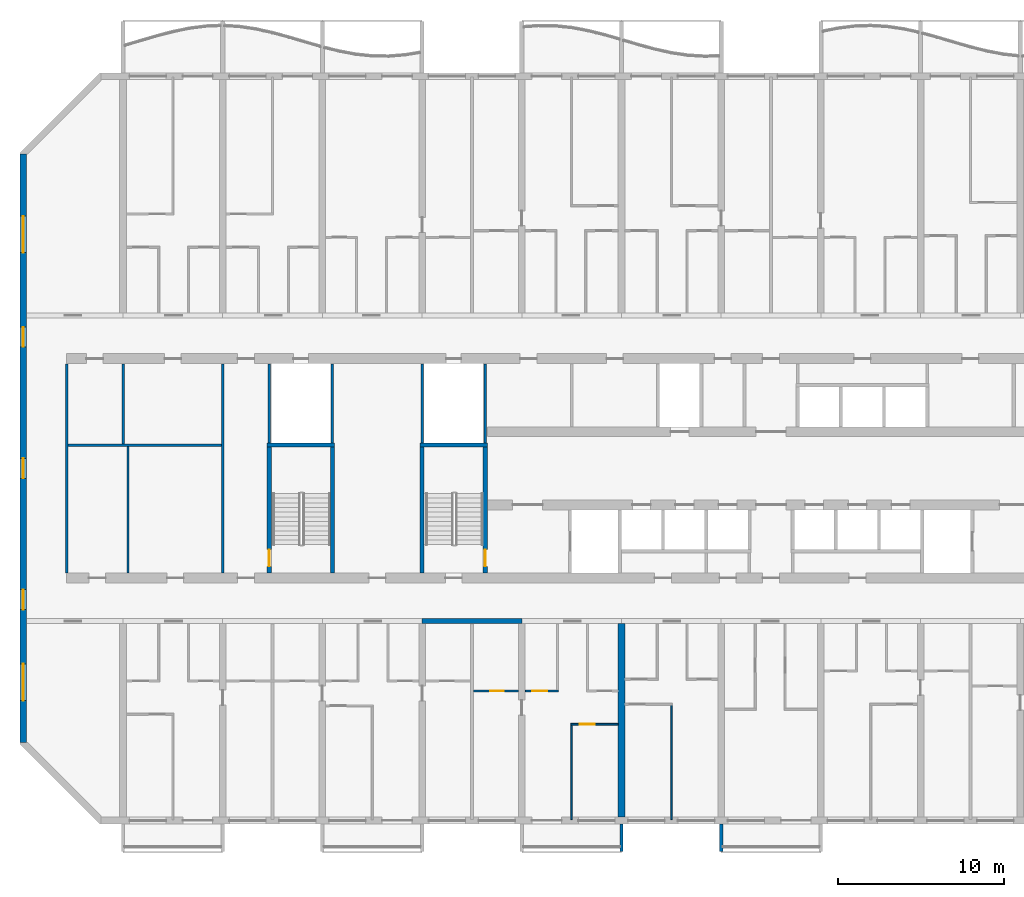
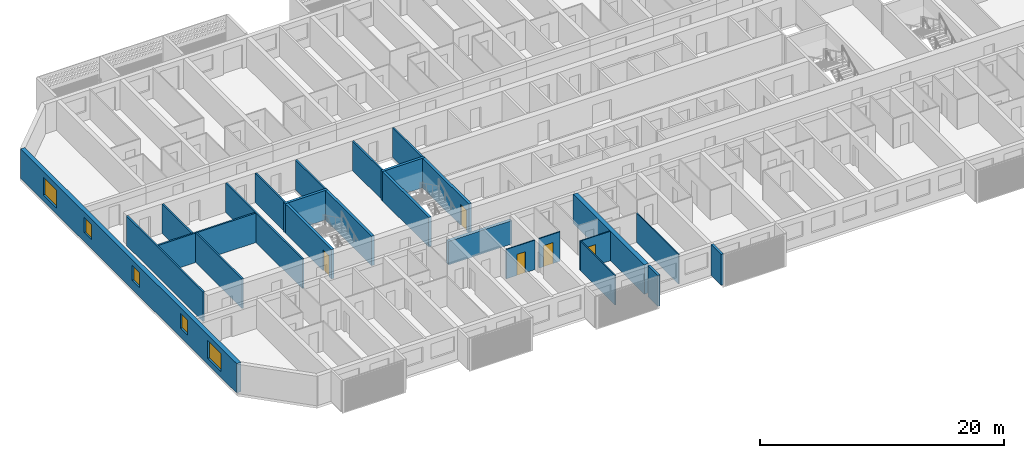
# One storey, part 3 of 39: 25 walls, 5 doors, 5 windows, 10 openings.
"""IFC4 building model written with IfcOpenShell, lengths in metres."""

from ifc_helpers import new_model, si_unit, direction, frame, frame_2d, origin, place, context, subcontext, project, spatial, polyline, rectangle, outline, extrude, source, transform, mapped, material, layer, layer_set, type_object, element, fill, save


model = new_model("IFC4")

# Units and contexts
model_context = context("Model", 3, precision=1e-05, world=origin(), true_north=direction((0.0, 1.0)))
body_context = subcontext(model_context, "Body", "Model", "MODEL_VIEW")
ifc_project = project(units=[si_unit("LENGTHUNIT", "METRE"), si_unit("AREAUNIT", "SQUARE_METRE"), si_unit("VOLUMEUNIT", "CUBIC_METRE"), si_unit("PLANEANGLEUNIT", "RADIAN"), si_unit("MASSUNIT", "GRAM", prefix="KILO")], contexts=[model_context])

# Site, building, storey
site_placement = place(None, origin())
site = spatial("IfcSite", under=ifc_project, at=site_placement, CompositionType="ELEMENT")
building_placement = place(site_placement, origin())
building = spatial("IfcBuilding", under=site, at=building_placement, Name="Poui Terraces", CompositionType="ELEMENT")
storey_placement = place(building_placement, frame((0.0, 0.0, 63.0)))
storey = spatial("IfcBuildingStorey", under=building, at=storey_placement, Name="L17", CompositionType="ELEMENT", Elevation=63.0)

# Walls
ifc_material_1 = material(Name="Fire-rated plasterboard wall")
ifc_layer_1 = layer(ifc_material_1, 0.14990234375)
ifc_layer_set_1 = layer_set([ifc_layer_1], Name="Fire-rated plasterboard wall")
wall_type_1 = type_object("IfcWallType", Name="CORRIDOR WALL 150", PredefinedType="PARTITIONING", material=ifc_layer_set_1)
for number, where, z_axis, x_axis, name in (
    (1, (8.60009765625, 14.909912109375, 0.0), (0.0, 0.0, 1.0), (0.0, 1.0, 0.0), "CORRIDOR WALL 150"),
    (2, (18.0, 14.909912109375, 0.0), (0.0, 0.0, 1.0), (0.0, 1.0, 0.0), "CORRIDOR WALL 150"),
):
    element("IfcWall", number, at=place(storey_placement, frame(where, z_axis=z_axis, x_axis=x_axis)), inside=storey, type_object=wall_type_1, Name=name, PredefinedType="PARTITIONING", context=body_context, shape_type="SweptSolid", body=[
        extrude(rectangle(XDim=12.580078125, YDim=0.14990234375, at=frame_2d((6.2900390625, 0.0))), origin(), (0.0, 0.0, 1.0), 2.949951171875),
    ])
ifc_material_2 = material(Name="Concrete 80 MPa", Category="concrete")
ifc_layer_2 = layer(ifc_material_2, 0.300048828125)
ifc_layer_set_2 = layer_set([ifc_layer_2], Name="Concrete 80 MPa")
wall_type_2 = type_object("IfcWallType", Name="CORRIDOR WALL 300 80MPa", PredefinedType="SHEAR", material=ifc_layer_set_2)
wall_1_placement = place(storey_placement, frame((30.0, 12.0, 0.0), z_axis=(0.0, 0.0, 1.0), x_axis=(1.0, 0.0, 0.0)))
element("IfcWall", 3, at=wall_1_placement, inside=storey, type_object=wall_type_2, Name="CORRIDOR WALL LINE B BAY 5", PredefinedType="SHEAR", context=body_context, shape_type="SweptSolid", body=[
    extrude(rectangle(XDim=6.0, YDim=0.300048828125, at=frame_2d((3.0, 0.0))), origin(), (0.0, 0.0, 1.0), 2.35009765625),
])
ifc_layer_3 = layer(ifc_material_2, 0.39990234375)
ifc_layer_set_3 = layer_set([ifc_layer_3], Name="Concrete 80 MPa")
wall_type_3 = type_object("IfcWallType", Name="CROSS WALL 400 80MPa", PredefinedType="SHEAR", material=ifc_layer_set_3)
wall_2_placement = place(storey_placement, frame((42.0, 0.199951171875, 0.0), z_axis=(0.0, 0.0, 1.0), x_axis=(0.0, 1.0, 0.0)))
element("IfcWall", 4, at=wall_2_placement, inside=storey, type_object=wall_type_3, Name="CROSS WALL LINE 8 SOUTH", PredefinedType="SHEAR", context=body_context, shape_type="SweptSolid", body=[
    extrude(rectangle(XDim=11.650146484375, YDim=0.39990234375, at=frame_2d((5.8251953125, 0.0))), origin(), (0.0, 0.0, 1.0), 2.949951171875),
])

# Wall, openings, windows
ifc_layer_4 = layer(ifc_material_2, 0.39990234375)
ifc_layer_set_4 = layer_set([ifc_layer_4], Name="Concrete 80 MPa")
wall_type_4 = type_object("IfcWallType", Name="END WALL 400 80MPa", PredefinedType="SHEAR", material=ifc_layer_set_4)
wall_3_placement = place(storey_placement, frame((6.0, 4.682861328125, 0.0), z_axis=(0.0, 0.0, 1.0), x_axis=(0.0, 1.0, 0.0)))
wall_3 = element("IfcWall", 5, at=wall_3_placement, inside=storey, type_object=wall_type_4, Name="END WALL WEST", PredefinedType="SHEAR", context=body_context, shape_type="SweptSolid", body=[
    extrude(rectangle(XDim=35.434326171875, YDim=0.39990234375, at=frame_2d((17.71728515625, 0.0))), origin(), (0.0, 0.0, 1.0), 2.949951171875),
])
opening_1_placement = place(wall_3_placement, frame((23.817138671875, 0.0, 0.89990234375)))
opening_1 = element("IfcOpeningElement", 6, at=opening_1_placement, cuts=wall_3, Name="Opening W2", PredefinedType="OPENING", context=body_context, shape_type="SweptSolid", body=[
    extrude(rectangle(XDim=1.199951171875, YDim=1.5, at=frame_2d((0.60009765625, 0.75))), frame((0.0, 0.2099609375, 0.0), z_axis=(0.0, -1.0, 0.0), x_axis=(1.0, 0.0, 0.0)), (0.0, 0.0, 1.0), 0.419921875),
])
opening_2_placement = place(wall_3_placement, frame((8.01708984375, 0.0, 0.89990234375)))
opening_2 = element("IfcOpeningElement", 7, at=opening_2_placement, cuts=wall_3, Name="Opening W2", PredefinedType="OPENING", context=body_context, shape_type="SweptSolid", body=[
    extrude(rectangle(XDim=1.199951171875, YDim=1.5, at=frame_2d((0.60009765625, 0.75))), frame((0.0, 0.2099609375, 0.0), z_axis=(0.0, -1.0, 0.0), x_axis=(1.0, 0.0, 0.0)), (0.0, 0.0, 1.0), 0.419921875),
])
opening_3_placement = place(wall_3_placement, frame((15.917236328125, 0.0, 0.89990234375)))
opening_3 = element("IfcOpeningElement", 8, at=opening_3_placement, cuts=wall_3, Name="Opening W2", PredefinedType="OPENING", context=body_context, shape_type="SweptSolid", body=[
    extrude(rectangle(XDim=1.199951171875, YDim=1.5, at=frame_2d((0.60009765625, 0.75))), frame((0.0, 0.2099609375, 0.0), z_axis=(0.0, -1.0, 0.0), x_axis=(1.0, 0.0, 0.0)), (0.0, 0.0, 1.0), 0.419921875),
])
opening_4_placement = place(wall_3_placement, frame((29.493408203125, 0.0, 0.60009765625)))
opening_4 = element("IfcOpeningElement", 9, at=opening_4_placement, cuts=wall_3, Name="Opening W3", PredefinedType="OPENING", context=body_context, shape_type="SweptSolid", body=[
    extrude(rectangle(XDim=2.199951171875, YDim=1.800048828125, at=frame_2d((1.10009765625, 0.89990234375))), frame((0.0, 0.2099609375, 0.0), z_axis=(0.0, -1.0, 0.0), x_axis=(1.0, 0.0, 0.0)), (0.0, 0.0, 1.0), 0.419921875),
])
opening_5_placement = place(wall_3_placement, frame((2.541015625, 0.0, 0.60009765625)))
opening_5 = element("IfcOpeningElement", 10, at=opening_5_placement, cuts=wall_3, Name="Opening W3", PredefinedType="OPENING", context=body_context, shape_type="SweptSolid", body=[
    extrude(rectangle(XDim=2.199951171875, YDim=1.800048828125, at=frame_2d((1.10009765625, 0.89990234375))), frame((0.0, 0.2099609375, 0.0), z_axis=(0.0, -1.0, 0.0), x_axis=(1.0, 0.0, 0.0)), (0.0, 0.0, 1.0), 0.419921875),
])
ifc_material_3 = material(Name="Clear glass in aluminium frame", Category="aluminium")
window_type_1 = type_object("IfcWindowType", Name="WINDOW 1200X1500", PartitioningType="SINGLE_PANEL", PredefinedType="WINDOW", material=ifc_material_3)
window_1_placement = place(opening_1_placement, origin())
window_1 = element("IfcWindow", 11, at=window_1_placement, inside=storey, type_object=window_type_1, Name="W2 WINDOW", OverallHeight=1.5, OverallWidth=1.199951171875, PartitioningType="SINGLE_PANEL", PredefinedType="WINDOW", context=body_context, shape_type="SweptSolid", body=[
    extrude(rectangle(XDim=1.199951171875, YDim=1.5, at=frame_2d((0.60009765625, 0.75))), frame((0.0, 0.030029296875, 0.0), z_axis=(0.0, -1.0, 0.0), x_axis=(1.0, 0.0, 0.0)), (0.0, 0.0, 1.0), 0.06005859375),
])
fill(opening_1, window_1)
window_2_placement = place(opening_2_placement, origin())
window_2 = element("IfcWindow", 12, at=window_2_placement, inside=storey, type_object=window_type_1, Name="W2 WINDOW", OverallHeight=1.5, OverallWidth=1.199951171875, PartitioningType="SINGLE_PANEL", PredefinedType="WINDOW", context=body_context, shape_type="SweptSolid", body=[
    extrude(rectangle(XDim=1.199951171875, YDim=1.5, at=frame_2d((0.60009765625, 0.75))), frame((0.0, 0.030029296875, 0.0), z_axis=(0.0, -1.0, 0.0), x_axis=(1.0, 0.0, 0.0)), (0.0, 0.0, 1.0), 0.06005859375),
])
fill(opening_2, window_2)
window_3_placement = place(opening_3_placement, origin())
window_3 = element("IfcWindow", 13, at=window_3_placement, inside=storey, type_object=window_type_1, Name="W2 WINDOW", OverallHeight=1.5, OverallWidth=1.199951171875, PartitioningType="SINGLE_PANEL", PredefinedType="WINDOW", context=body_context, shape_type="SweptSolid", body=[
    extrude(rectangle(XDim=1.199951171875, YDim=1.5, at=frame_2d((0.60009765625, 0.75))), frame((0.0, 0.030029296875, 0.0), z_axis=(0.0, -1.0, 0.0), x_axis=(1.0, 0.0, 0.0)), (0.0, 0.0, 1.0), 0.06005859375),
])
fill(opening_3, window_3)
window_type_2 = type_object("IfcWindowType", Name="WINDOW 2200X1800", PartitioningType="DOUBLE_PANEL_HORIZONTAL", PredefinedType="WINDOW", material=ifc_material_3)
window_4_placement = place(opening_4_placement, origin())
window_4 = element("IfcWindow", 14, at=window_4_placement, inside=storey, type_object=window_type_2, Name="W3 WINDOW", OverallHeight=1.800048828125, OverallWidth=2.199951171875, PartitioningType="DOUBLE_PANEL_HORIZONTAL", PredefinedType="WINDOW", context=body_context, shape_type="SweptSolid", body=[
    extrude(rectangle(XDim=2.199951171875, YDim=1.800048828125, at=frame_2d((1.10009765625, 0.89990234375))), frame((0.0, 0.030029296875, 0.0), z_axis=(0.0, -1.0, 0.0), x_axis=(1.0, 0.0, 0.0)), (0.0, 0.0, 1.0), 0.06005859375),
])
fill(opening_4, window_4)
window_5_placement = place(opening_5_placement, origin())
window_5 = element("IfcWindow", 15, at=window_5_placement, inside=storey, type_object=window_type_2, Name="W3 WINDOW", OverallHeight=1.800048828125, OverallWidth=2.199951171875, PartitioningType="DOUBLE_PANEL_HORIZONTAL", PredefinedType="WINDOW", context=body_context, shape_type="SweptSolid", body=[
    extrude(rectangle(XDim=2.199951171875, YDim=1.800048828125, at=frame_2d((1.10009765625, 0.89990234375))), frame((0.0, 0.030029296875, 0.0), z_axis=(0.0, -1.0, 0.0), x_axis=(1.0, 0.0, 0.0)), (0.0, 0.0, 1.0), 0.06005859375),
])
fill(opening_5, window_5)

# Wall, opening, door
ifc_material_4 = material(Name="Plasterboard partition")
ifc_layer_5 = layer(ifc_material_4, 0.10009765625)
ifc_layer_set_5 = layer_set([ifc_layer_5], Name="Plasterboard partition")
wall_type_5 = type_object("IfcWallType", Name="FLAT PARTITION 100", PredefinedType="PARTITIONING", material=ifc_layer_set_5)
wall_4_placement = place(storey_placement, frame((38.949951171875, 5.800048828125, 0.0), z_axis=(0.0, 0.0, 1.0), x_axis=(1.0, 0.0, 0.0)))
wall_4 = element("IfcWall", 16, at=wall_4_placement, inside=storey, type_object=wall_type_5, Name="FLAT PARTITION 100", PredefinedType="PARTITIONING", context=body_context, shape_type="SweptSolid", body=[
    extrude(rectangle(XDim=2.840087890625, YDim=0.10009765625, at=frame_2d((1.419921875, 0.0))), origin(), (0.0, 0.0, 1.0), 2.949951171875),
])
opening_6_placement = place(wall_4_placement, frame((0.550048828125, 0.0, 0.0)))
opening_6 = element("IfcOpeningElement", 17, at=opening_6_placement, cuts=wall_4, Name="Opening D90", PredefinedType="OPENING", context=body_context, shape_type="SweptSolid", body=[
    extrude(rectangle(XDim=0.89990234375, YDim=2.10009765625, at=frame_2d((0.449951171875, 1.050048828125))), frame((0.0, 0.06005859375, 0.0), z_axis=(0.0, -1.0, 0.0), x_axis=(1.0, 0.0, 0.0)), (0.0, 0.0, 1.0), 0.1201171875),
])
ifc_material_5 = material(Name="Solid core timber door", Category="wood")
door_type_1 = type_object("IfcDoorType", Name="INTERNAL DOOR 900 X 2100", OperationType="NOTDEFINED", PredefinedType="DOOR", material=ifc_material_5)
door_1_placement = place(opening_6_placement, origin())
door_1 = element("IfcDoor", 18, at=door_1_placement, inside=storey, type_object=door_type_1, Name="INTERNAL DOOR 103", OperationType="SINGLE_SWING_RIGHT", OverallHeight=2.10009765625, OverallWidth=0.89990234375, PredefinedType="DOOR", context=body_context, shape_type="SweptSolid", body=[
    extrude(rectangle(XDim=0.89990234375, YDim=2.10009765625, at=frame_2d((0.449951171875, 1.050048828125))), frame((0.0, 0.02490234375, 0.0), z_axis=(0.0, -1.0, 0.0), x_axis=(1.0, 0.0, 0.0)), (0.0, 0.0, 1.0), 0.050048828125),
])
fill(opening_6, door_1)

wall_5_placement = place(storey_placement, frame((33.10009765625, 7.800048828125, 0.0), z_axis=(0.0, 0.0, 1.0), x_axis=(1.0, 0.0, 0.0)))
wall_5 = element("IfcWall", 19, at=wall_5_placement, inside=storey, type_object=wall_type_5, Name="FLAT PARTITION 100", PredefinedType="PARTITIONING", context=body_context, shape_type="SweptSolid", body=[
    extrude(rectangle(XDim=2.68994140625, YDim=0.10009765625, at=frame_2d((1.344970703125, 0.0))), origin(), (0.0, 0.0, 1.0), 2.949951171875),
])
opening_7_placement = place(wall_5_placement, frame((1.0, 0.0, 0.0)))
opening_7 = element("IfcOpeningElement", 20, at=opening_7_placement, cuts=wall_5, Name="Opening D80", PredefinedType="OPENING", context=body_context, shape_type="SweptSolid", body=[
    extrude(rectangle(XDim=0.800048828125, YDim=2.10009765625, at=frame_2d((0.39990234375, 1.050048828125))), frame((0.0, 0.06005859375, 0.0), z_axis=(0.0, -1.0, 0.0), x_axis=(1.0, 0.0, 0.0)), (0.0, 0.0, 1.0), 0.1201171875),
])
door_type_2 = type_object("IfcDoorType", Name="BATHROOM, LAUNDRY AND STORE DOOR 800 X 2100", OperationType="NOTDEFINED", PredefinedType="DOOR", material=ifc_material_5)
door_2_placement = place(opening_7_placement, origin())
door_2 = element("IfcDoor", 21, at=door_2_placement, inside=storey, type_object=door_type_2, Name="BATHROOM, LAUNDRY AND STORE DOOR 099", OperationType="SINGLE_SWING_RIGHT", OverallHeight=2.10009765625, OverallWidth=0.800048828125, PredefinedType="DOOR", context=body_context, shape_type="SweptSolid", body=[
    extrude(rectangle(XDim=0.800048828125, YDim=2.10009765625, at=frame_2d((0.39990234375, 1.050048828125))), frame((0.0, 0.02490234375, 0.0), z_axis=(0.0, -1.0, 0.0), x_axis=(1.0, 0.0, 0.0)), (0.0, 0.0, 1.0), 0.050048828125),
])
fill(opening_7, door_2)

wall_6_placement = place(storey_placement, frame((36.2099609375, 7.800048828125, 0.0), z_axis=(0.0, 0.0, 1.0), x_axis=(1.0, 0.0, 0.0)))
wall_6 = element("IfcWall", 22, at=wall_6_placement, inside=storey, type_object=wall_type_5, Name="FLAT PARTITION 100", PredefinedType="PARTITIONING", context=body_context, shape_type="SweptSolid", body=[
    extrude(rectangle(XDim=1.989990234375, YDim=0.10009765625, at=frame_2d((0.9951171875, 0.0))), origin(), (0.0, 0.0, 1.0), 2.949951171875),
])
opening_8_placement = place(wall_6_placement, frame((0.4150390625, 0.0, 0.0)))
opening_8 = element("IfcOpeningElement", 23, at=opening_8_placement, cuts=wall_6, Name="Opening D90", PredefinedType="OPENING", context=body_context, shape_type="SweptSolid", body=[
    extrude(rectangle(XDim=0.89990234375, YDim=2.10009765625, at=frame_2d((0.449951171875, 1.050048828125))), frame((0.0, 0.06005859375, 0.0), z_axis=(0.0, -1.0, 0.0), x_axis=(1.0, 0.0, 0.0)), (0.0, 0.0, 1.0), 0.1201171875),
])
door_3_placement = place(opening_8_placement, origin())
door_3 = element("IfcDoor", 24, at=door_3_placement, inside=storey, type_object=door_type_1, Name="INTERNAL DOOR 101", OperationType="SINGLE_SWING_RIGHT", OverallHeight=2.10009765625, OverallWidth=0.89990234375, PredefinedType="DOOR", context=body_context, shape_type="SweptSolid", body=[
    extrude(rectangle(XDim=0.89990234375, YDim=2.10009765625, at=frame_2d((0.449951171875, 1.050048828125))), frame((0.0, 0.02490234375, 0.0), z_axis=(0.0, -1.0, 0.0), x_axis=(1.0, 0.0, 0.0)), (0.0, 0.0, 1.0), 0.050048828125),
])
fill(opening_8, door_3)

# Walls
wall_7_placement = place(storey_placement, frame((39.0, 0.06005859375, 0.0), z_axis=(0.0, 0.0, 1.0), x_axis=(0.0, 1.0, 0.0)))
element("IfcWall", 25, at=wall_7_placement, inside=storey, type_object=wall_type_5, Name="FLAT PARTITION 100", PredefinedType="PARTITIONING", context=body_context, shape_type="SweptSolid", body=[
    extrude(rectangle(XDim=5.68994140625, YDim=0.10009765625, at=frame_2d((2.844970703125, 0.0))), origin(), (0.0, 0.0, 1.0), 2.949951171875),
])
wall_8_placement = place(storey_placement, frame((45.0, 0.06005859375, 0.0), z_axis=(0.0, 0.0, 1.0), x_axis=(0.0, 1.0, 0.0)))
element("IfcWall", 26, at=wall_8_placement, inside=storey, type_object=wall_type_5, Name="FLAT PARTITION 100", PredefinedType="PARTITIONING", context=body_context, shape_type="SweptSolid", body=[
    extrude(rectangle(XDim=6.889892578125, YDim=0.10009765625, at=frame_2d((3.44482421875, 0.0))), origin(), (0.0, 0.0, 1.0), 2.949951171875),
])
ifc_layer_6 = layer(ifc_material_4, 0.14990234375)
ifc_layer_set_6 = layer_set([ifc_layer_6], Name="Plasterboard partition")
wall_type_6 = type_object("IfcWallType", Name="PARTITION WALL 150", PredefinedType="PARTITIONING", material=ifc_layer_set_6)
wall_9_placement = place(storey_placement, frame((8.675048828125, 22.60009765625, 0.0), z_axis=(0.0, 0.0, 1.0), x_axis=(1.0, 0.0, 0.0)))
element("IfcWall", 27, at=wall_9_placement, inside=storey, type_object=wall_type_6, Name="PARTITION WALL 150", PredefinedType="PARTITIONING", context=body_context, shape_type="SweptSolid", body=[
    extrude(rectangle(XDim=9.25, YDim=0.14990234375, at=frame_2d((4.625, 0.0))), origin(), (0.0, 0.0, 1.0), 2.949951171875),
])
wall_10_placement = place(storey_placement, frame((12.0, 22.675048828125, 0.0), z_axis=(0.0, 0.0, 1.0), x_axis=(0.0, 1.0, 0.0)))
element("IfcWall", 28, at=wall_10_placement, inside=storey, type_object=wall_type_6, Name="PARTITION WALL 150", PredefinedType="PARTITIONING", context=body_context, shape_type="SweptSolid", body=[
    extrude(rectangle(XDim=4.81494140625, YDim=0.14990234375, at=frame_2d((2.407470703125, 0.0))), origin(), (0.0, 0.0, 1.0), 2.949951171875),
])
wall_11_placement = place(storey_placement, frame((12.300048828125, 14.909912109375, 0.0), z_axis=(0.0, 0.0, 1.0), x_axis=(0.0, 1.0, 0.0)))
element("IfcWall", 29, at=wall_11_placement, inside=storey, type_object=wall_type_6, Name="PARTITION WALL 150", PredefinedType="PARTITIONING", context=body_context, shape_type="SweptSolid", body=[
    extrude(rectangle(XDim=7.614990234375, YDim=0.14990234375, at=frame_2d((3.8076171875, 0.0))), origin(), (0.0, 0.0, 1.0), 2.949951171875),
])
ifc_material_6 = material(Name="Fire-rated plasterboard riser wall")
ifc_layer_7 = layer(ifc_material_6, 0.14990234375)
ifc_layer_set_7 = layer_set([ifc_layer_7], Name="Fire-rated plasterboard riser wall")
wall_type_7 = type_object("IfcWallType", Name="RISER WALL 150", PredefinedType="PARTITIONING", material=ifc_layer_set_7)
for number, where, z_axis, x_axis, name in (
    (30, (20.800048828125, 22.735107421875, 0.0), (0.0, 0.0, 1.0), (0.0, 1.0, 0.0), "RISER WALL 150"),
    (31, (24.60009765625, 22.735107421875, 0.0), (0.0, 0.0, 1.0), (0.0, 1.0, 0.0), "RISER WALL 150"),
    (32, (30.0, 22.735107421875, 0.0), (0.0, 0.0, 1.0), (0.0, 1.0, 0.0), "RISER WALL 150"),
    (33, (33.800048828125, 22.735107421875, 0.0), (0.0, 0.0, 1.0), (0.0, 1.0, 0.0), "RISER WALL 150"),
):
    element("IfcWall", number, at=place(storey_placement, frame(where, z_axis=z_axis, x_axis=x_axis)), inside=storey, type_object=wall_type_7, Name=name, PredefinedType="PARTITIONING", context=body_context, shape_type="SweptSolid", body=[
        extrude(rectangle(XDim=4.7548828125, YDim=0.14990234375, at=frame_2d((2.37744140625, 0.0))), origin(), (0.0, 0.0, 1.0), 2.949951171875),
    ])
ifc_layer_8 = layer(ifc_material_2, 0.25)
ifc_layer_set_8 = layer_set([ifc_layer_8], Name="Concrete 80 MPa")
wall_type_8 = type_object("IfcWallType", Name="STAIR CORE WALL 250 80 MPA", PredefinedType="SOLIDWALL", material=ifc_layer_set_8)
wall_12_placement = place(storey_placement, frame((30.0, 14.89990234375, 0.0), z_axis=(0.0, 0.0, 1.0), x_axis=(0.0, 1.0, 0.0)))
element("IfcWall", 34, at=wall_12_placement, inside=storey, type_object=wall_type_8, Name="STAIR CORE WALL", PredefinedType="SOLIDWALL", context=body_context, shape_type="SweptSolid", body=[
    extrude(rectangle(XDim=7.5751953125, YDim=0.25, at=frame_2d((3.78759765625, 0.0))), origin(), (0.0, 0.0, 1.0), 2.949951171875),
])

# Wall, opening, door
wall_13_placement = place(storey_placement, frame((33.800048828125, 14.89990234375, 0.0), z_axis=(0.0, 0.0, 1.0), x_axis=(0.0, 1.0, 0.0)))
wall_13 = element("IfcWall", 35, at=wall_13_placement, inside=storey, type_object=wall_type_8, Name="STAIR CORE WALL", PredefinedType="SOLIDWALL", context=body_context, shape_type="SweptSolid", body=[
    extrude(rectangle(XDim=7.5751953125, YDim=0.25, at=frame_2d((3.78759765625, 0.0))), origin(), (0.0, 0.0, 1.0), 2.949951171875),
])
opening_9_placement = place(wall_13_placement, frame((0.39990234375, 0.0, 0.0)))
opening_9 = element("IfcOpeningElement", 36, at=opening_9_placement, cuts=wall_13, Name="Opening FD60S", PredefinedType="OPENING", context=body_context, shape_type="SweptSolid", body=[
    extrude(rectangle(XDim=1.0, YDim=2.10009765625, at=frame_2d((0.5, 1.050048828125))), frame((0.0, 0.135009765625, 0.0), z_axis=(0.0, -1.0, 0.0), x_axis=(1.0, 0.0, 0.0)), (0.0, 0.0, 1.0), 0.27001953125),
])
ifc_material_7 = material(Name="Steel fire door", Category="steel")
door_type_3 = type_object("IfcDoorType", Name="STAIR DOOR 1000 X 2100", OperationType="NOTDEFINED", PredefinedType="DOOR", material=ifc_material_7)
door_4_placement = place(opening_9_placement, origin())
door_4 = element("IfcDoor", 37, at=door_4_placement, inside=storey, type_object=door_type_3, Name="STAIR DOOR 137", OperationType="SINGLE_SWING_LEFT", OverallHeight=2.10009765625, OverallWidth=1.0, PredefinedType="DOOR", context=body_context, shape_type="SweptSolid", body=[
    extrude(rectangle(XDim=1.0, YDim=2.10009765625, at=frame_2d((0.5, 1.050048828125))), frame((0.0, 0.02490234375, 0.0), z_axis=(0.0, -1.0, 0.0), x_axis=(1.0, 0.0, 0.0)), (0.0, 0.0, 1.0), 0.050048828125),
])
fill(opening_9, door_4)

# Wall
wall_14_placement = place(storey_placement, frame((29.875, 22.60009765625, 0.0), z_axis=(0.0, 0.0, 1.0), x_axis=(1.0, 0.0, 0.0)))
element("IfcWall", 38, at=wall_14_placement, inside=storey, type_object=wall_type_8, Name="STAIR CORE WALL", PredefinedType="SOLIDWALL", context=body_context, shape_type="SweptSolid", body=[
    extrude(rectangle(XDim=4.050048828125, YDim=0.25, at=frame_2d((2.02490234375, 0.0))), origin(), (0.0, 0.0, 1.0), 2.949951171875),
])

# Wall, opening, door
wall_15_placement = place(storey_placement, frame((20.800048828125, 14.89990234375, 0.0), z_axis=(0.0, 0.0, 1.0), x_axis=(0.0, 1.0, 0.0)))
wall_15 = element("IfcWall", 39, at=wall_15_placement, inside=storey, type_object=wall_type_8, Name="STAIR CORE WALL", PredefinedType="SOLIDWALL", context=body_context, shape_type="SweptSolid", body=[
    extrude(rectangle(XDim=7.5751953125, YDim=0.25, at=frame_2d((3.78759765625, 0.0))), origin(), (0.0, 0.0, 1.0), 2.949951171875),
])
opening_10_placement = place(wall_15_placement, frame((0.39990234375, 0.0, 0.0)))
opening_10 = element("IfcOpeningElement", 40, at=opening_10_placement, cuts=wall_15, Name="Opening FD60S", PredefinedType="OPENING", context=body_context, shape_type="SweptSolid", body=[
    extrude(rectangle(XDim=1.0, YDim=2.10009765625, at=frame_2d((0.5, 1.050048828125))), frame((0.0, 0.135009765625, 0.0), z_axis=(0.0, -1.0, 0.0), x_axis=(1.0, 0.0, 0.0)), (0.0, 0.0, 1.0), 0.27001953125),
])
door_5_placement = place(opening_10_placement, frame((1.0, 0.0, 0.0), z_axis=(0.0, 0.0, 1.0), x_axis=(-1.0, 0.0, 0.0)))
door_5 = element("IfcDoor", 41, at=door_5_placement, inside=storey, type_object=door_type_3, Name="STAIR DOOR 151", OperationType="SINGLE_SWING_RIGHT", OverallHeight=2.10009765625, OverallWidth=1.0, PredefinedType="DOOR", context=body_context, shape_type="SweptSolid", body=[
    extrude(rectangle(XDim=1.0, YDim=2.10009765625, at=frame_2d((0.5, 1.050048828125))), frame((0.0, 0.02490234375, 0.0), z_axis=(0.0, -1.0, 0.0), x_axis=(1.0, 0.0, 0.0)), (0.0, 0.0, 1.0), 0.050048828125),
])
fill(opening_10, door_5)

# Walls
wall_16_placement = place(storey_placement, frame((24.60009765625, 14.89990234375, 0.0), z_axis=(0.0, 0.0, 1.0), x_axis=(0.0, 1.0, 0.0)))
element("IfcWall", 42, at=wall_16_placement, inside=storey, type_object=wall_type_8, Name="STAIR CORE WALL", PredefinedType="SOLIDWALL", context=body_context, shape_type="SweptSolid", body=[
    extrude(rectangle(XDim=7.5751953125, YDim=0.25, at=frame_2d((3.78759765625, 0.0))), origin(), (0.0, 0.0, 1.0), 2.949951171875),
])
wall_17_placement = place(storey_placement, frame((20.675048828125, 22.60009765625, 0.0), z_axis=(0.0, 0.0, 1.0), x_axis=(1.0, 0.0, 0.0)))
element("IfcWall", 43, at=wall_17_placement, inside=storey, type_object=wall_type_8, Name="STAIR CORE WALL", PredefinedType="SOLIDWALL", context=body_context, shape_type="SweptSolid", body=[
    extrude(rectangle(XDim=4.050048828125, YDim=0.25, at=frame_2d((2.02490234375, 0.0))), origin(), (0.0, 0.0, 1.0), 2.949951171875),
])
ifc_material_8 = material(Name="Precast concrete 40 MPa", Category="concrete")
ifc_layer_9 = layer(ifc_material_8, 0.199951171875)
ifc_layer_set_9 = layer_set([ifc_layer_9], Name="Precast concrete 40 MPa")
wall_type_9 = type_object("IfcWallType", Name="REAR FIN 200", PredefinedType="STANDARD", material=ifc_layer_set_9)
shared_shape = source(origin(), body_context, "Body", "SweptSolid", [
    extrude(outline(polyline([(0.0, 0.0), (0.2001953125, 0.0), (0.2001953125, 1.650146484375), (0.0, 1.650146484375), (0.0, 0.0)])), origin(), (0.0, 0.0, 1.0), 3.10009765625),
])
for number, where, name in (
    (44, (41.89990234375, -1.85009765625, 0.0), "REAR FIN"),
    (45, (47.89990234375, -1.85009765625, 0.0), "REAR FIN"),
):
    element("IfcWall", number, at=place(storey_placement, frame(where)), inside=storey, type_object=wall_type_9, Name=name, PredefinedType="STANDARD", context=body_context, shape_type="MappedRepresentation", body=[
        mapped(shared_shape, transform((0.0, 0.0, 0.0))),
    ])

save(model, "model.ifc")
